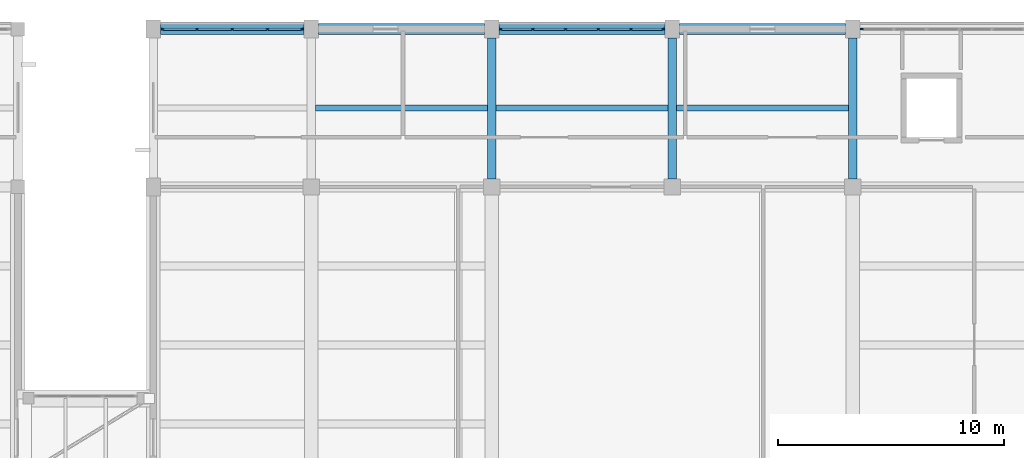
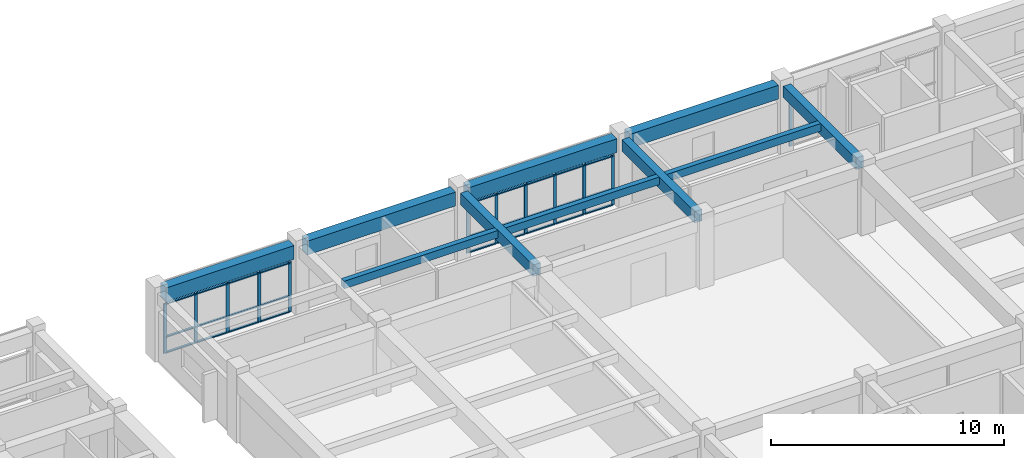
# One storey, part 30 of 66: 39 members, 10 beams, 3 elements without a shape of their own.
"""IFC4 building model written with IfcOpenShell, lengths in metres."""

from ifc_helpers import new_model, si_unit, direction, frame, origin, origin_2d, place, context, subcontext, project, spatial, rectangle, extrude, material, layer, layer_set, material_profile, profile_set, type_object, element, aggregate, save


model = new_model("IFC4")

# Units and contexts
model_context = context("Model", 3, precision=1e-05, world=origin(), true_north=direction((0.0, 1.0)))
body_context = subcontext(model_context, "Body", "Model", "MODEL_VIEW")
ifc_project = project(units=[si_unit("LENGTHUNIT", "METRE"), si_unit("AREAUNIT", "SQUARE_METRE"), si_unit("VOLUMEUNIT", "CUBIC_METRE"), si_unit("PLANEANGLEUNIT", "RADIAN"), si_unit("MASSUNIT", "GRAM", prefix="KILO")], contexts=[model_context])

# Site, building, storey
site_placement = place(None, origin())
site = spatial("IfcSite", under=ifc_project, at=site_placement, CompositionType="ELEMENT")
building_placement = place(site_placement, origin())
building = spatial("IfcBuilding", under=site, at=building_placement, Name="Naurynzar Civic Courthouse", CompositionType="ELEMENT")
storey_placement = place(building_placement, frame((0.0, 0.0, 14.39990234375)))
storey = spatial("IfcBuildingStorey", under=building, at=storey_placement, Name="L04", CompositionType="ELEMENT", Elevation=14.39990234375)

# Beams
ifc_material_1 = material(Name="Concrete C40/50", Category="concrete")
ifc_material_profile_1 = material_profile(ifc_material_1, rectangle(XDim=0.25, YDim=0.39990234375, at=origin_2d()), Name="RCB 250x400")
ifc_profile_set_1 = profile_set([ifc_material_profile_1], Name="Concrete C40/50")
beam_type_1 = type_object("IfcBeamType", Name="BM-JST-250x400", PredefinedType="JOIST", material=ifc_profile_set_1)
for number, where, z_axis, x_axis, name in (
    (1, (69.1875, 68.5, 3.380126953125), (1.0, 0.0, 0.0), (0.0, 1.0, 0.0), "V2 secondary rib 736 L04"),
    (2, (77.1875, 68.5, 3.380126953125), (1.0, 0.0, 0.0), (0.0, 1.0, 0.0), "V2 secondary rib 737 L04"),
    (3, (85.1875, 68.5, 3.380126953125), (1.0, 0.0, 0.0), (0.0, 1.0, 0.0), "V2 secondary rib 738 L04"),
):
    element("IfcBeam", number, at=place(storey_placement, frame(where, z_axis=z_axis, x_axis=x_axis)), inside=storey, type_object=beam_type_1, Name=name, PredefinedType="JOIST", context=body_context, shape_type="SweptSolid", body=[
        extrude(rectangle(XDim=0.25, YDim=0.39990234375, at=origin_2d()), origin(), (0.0, 0.0, 1.0), 7.625),
    ])
ifc_material_2 = material(Name="Concrete C40/50", Category="concrete")
ifc_material_profile_2 = material_profile(ifc_material_2, rectangle(XDim=0.375, YDim=0.60009765625, at=origin_2d()), Name="RCB 375x600")
ifc_profile_set_2 = profile_set([ifc_material_profile_2], Name="Concrete C40/50")
beam_type_2 = type_object("IfcBeamType", Name="BM-RC-375x600", PredefinedType="BEAM", material=ifc_profile_set_2)
for number, where, z_axis, x_axis, name in (
    (4, (77.0, 65.362548828125, 3.280029296875), (0.0, 1.0, 0.0), (-1.0, 0.0, 0.0), "V2 girder Y-695 L04"),
    (5, (85.0, 65.362548828125, 3.280029296875), (0.0, 1.0, 0.0), (-1.0, 0.0, 0.0), "V2 girder Y-697 L04"),
    (6, (93.0, 65.362548828125, 3.280029296875), (0.0, 1.0, 0.0), (-1.0, 0.0, 0.0), "V2 girder Y-700 L04"),
):
    element("IfcBeam", number, at=place(storey_placement, frame(where, z_axis=z_axis, x_axis=x_axis)), inside=storey, type_object=beam_type_2, Name=name, PredefinedType="BEAM", context=body_context, shape_type="SweptSolid", body=[
        extrude(rectangle(XDim=0.375, YDim=0.60009765625, at=origin_2d()), origin(), (0.0, 0.0, 1.0), 6.237548828125),
    ])
ifc_material_3 = material(Name="Concrete C40/50", Category="concrete")
ifc_material_profile_3 = material_profile(ifc_material_3, rectangle(XDim=0.47509765625, YDim=0.72509765625, at=origin_2d()), Name="RCB 475x725")
ifc_profile_set_3 = profile_set([ifc_material_profile_3], Name="Concrete C40/50")
beam_type_3 = type_object("IfcBeamType", Name="BM-RC-475x725", PredefinedType="SPANDREL", material=ifc_profile_set_3)
beam_placement = place(storey_placement, frame((62.324951171875, 72.0, 3.217529296875), z_axis=(1.0, 0.0, 0.0), x_axis=(0.0, 1.0, 0.0)))
element("IfcBeam", 7, at=beam_placement, inside=storey, type_object=beam_type_3, Name="V2 beam X-679 L04", PredefinedType="SPANDREL", context=body_context, shape_type="SweptSolid", body=[
    extrude(rectangle(XDim=0.47509765625, YDim=0.72509765625, at=origin_2d()), origin(), (0.0, 0.0, 1.0), 6.35009765625),
])
for number, where, z_axis, x_axis, name in (
    (8, (69.324951171875, 72.0, 3.217529296875), (1.0, 0.0, 0.0), (0.0, 1.0, 0.0), "V2 beam X-680 L04"),
    (9, (77.324951171875, 72.0, 3.217529296875), (1.0, 0.0, 0.0), (0.0, 1.0, 0.0), "V2 beam X-681 L04"),
    (10, (85.324951171875, 72.0, 3.217529296875), (1.0, 0.0, 0.0), (0.0, 1.0, 0.0), "V2 beam X-682 L04"),
):
    element("IfcBeam", number, at=place(storey_placement, frame(where, z_axis=z_axis, x_axis=x_axis)), inside=storey, type_object=beam_type_3, Name=name, PredefinedType="SPANDREL", context=body_context, shape_type="SweptSolid", body=[
        extrude(rectangle(XDim=0.47509765625, YDim=0.72509765625, at=origin_2d()), origin(), (0.0, 0.0, 1.0), 7.35009765625),
    ])

# Curtain wall, members
ifc_material_4 = material(Name="Aluminium 6063-T6", Category="aluminium")
ifc_layer = layer(ifc_material_4, 0.179931640625)
ifc_layer_set = layer_set([ifc_layer], Name="CW-UNIT-1500")
curtain_wall_type = type_object("IfcCurtainWallType", Name="CW-UNIT-1500", PredefinedType="NOTDEFINED", material=ifc_layer_set)
curtain_wall_1_placement = place(storey_placement, origin())
curtain_wall_1 = element("IfcCurtainWall", 11, at=curtain_wall_1_placement, inside=storey, type_object=curtain_wall_type, Name="V2 unitised curtain wall 31 L04", PredefinedType="NOTDEFINED")
ifc_material_5 = material(Name="Aluminium 6063-T6", Category="aluminium")
ifc_material_profile_4 = material_profile(ifc_material_5, rectangle(XDim=0.06005859375, YDim=0.14990234375, at=origin_2d()), Name="ALU MULLION 60x150")
ifc_profile_set_4 = profile_set([ifc_material_profile_4], Name="Aluminium 6063-T6")
member_type_1 = type_object("IfcMemberType", Name="CWM-60x150", PredefinedType="MULLION", material=ifc_profile_set_4)
member_1_placement = place(storey_placement, frame((62.405029296875, 72.0, 0.0), z_axis=(0.0, 0.0, 1.0), x_axis=(0.0, 1.0, 0.0)))
member_1 = element("IfcMember", 12, at=member_1_placement, type_object=member_type_1, Name="CW-01 mullion 1", PredefinedType="MULLION", context=body_context, shape_type="SweptSolid", body=[
    extrude(rectangle(XDim=0.06005859375, YDim=0.14990234375, at=origin_2d()), origin(), (0.0, 0.0, 1.0), 2.610107421875),
])
member_2_placement = place(storey_placement, frame((63.9375, 72.0, 0.0), z_axis=(0.0, 0.0, 1.0), x_axis=(0.0, 1.0, 0.0)))
member_2 = element("IfcMember", 13, at=member_2_placement, type_object=member_type_1, Name="CW-01 mullion 2", PredefinedType="MULLION", context=body_context, shape_type="SweptSolid", body=[
    extrude(rectangle(XDim=0.06005859375, YDim=0.14990234375, at=origin_2d()), origin(), (0.0, 0.0, 1.0), 2.610107421875),
])
member_3_placement = place(storey_placement, frame((65.5, 72.0, 0.0), z_axis=(0.0, 0.0, 1.0), x_axis=(0.0, 1.0, 0.0)))
member_3 = element("IfcMember", 14, at=member_3_placement, type_object=member_type_1, Name="CW-01 mullion 3", PredefinedType="MULLION", context=body_context, shape_type="SweptSolid", body=[
    extrude(rectangle(XDim=0.06005859375, YDim=0.14990234375, at=origin_2d()), origin(), (0.0, 0.0, 1.0), 2.610107421875),
])
member_4_placement = place(storey_placement, frame((67.0625, 72.0, 0.0), z_axis=(0.0, 0.0, 1.0), x_axis=(0.0, 1.0, 0.0)))
member_4 = element("IfcMember", 15, at=member_4_placement, type_object=member_type_1, Name="CW-01 mullion 4", PredefinedType="MULLION", context=body_context, shape_type="SweptSolid", body=[
    extrude(rectangle(XDim=0.06005859375, YDim=0.14990234375, at=origin_2d()), origin(), (0.0, 0.0, 1.0), 2.610107421875),
])
member_5_placement = place(storey_placement, frame((68.594970703125, 72.0, 0.0), z_axis=(0.0, 0.0, 1.0), x_axis=(0.0, 1.0, 0.0)))
member_5 = element("IfcMember", 16, at=member_5_placement, type_object=member_type_1, Name="CW-01 mullion 5", PredefinedType="MULLION", context=body_context, shape_type="SweptSolid", body=[
    extrude(rectangle(XDim=0.06005859375, YDim=0.14990234375, at=origin_2d()), origin(), (0.0, 0.0, 1.0), 2.610107421875),
])

curtain_wall_2_placement = place(storey_placement, origin())
curtain_wall_2 = element("IfcCurtainWall", 17, at=curtain_wall_2_placement, inside=storey, type_object=curtain_wall_type, Name="V2 unitised curtain wall 32 L04", PredefinedType="NOTDEFINED")
member_6_placement = place(storey_placement, frame((77.405029296875, 72.0, 0.0), z_axis=(0.0, 0.0, 1.0), x_axis=(0.0, 1.0, 0.0)))
member_6 = element("IfcMember", 18, at=member_6_placement, type_object=member_type_1, Name="CW-01 mullion 1", PredefinedType="MULLION", context=body_context, shape_type="SweptSolid", body=[
    extrude(rectangle(XDim=0.06005859375, YDim=0.14990234375, at=origin_2d()), origin(), (0.0, 0.0, 1.0), 2.610107421875),
])
member_7_placement = place(storey_placement, frame((78.824951171875, 72.0, 0.0), z_axis=(0.0, 0.0, 1.0), x_axis=(0.0, 1.0, 0.0)))
member_7 = element("IfcMember", 19, at=member_7_placement, type_object=member_type_1, Name="CW-01 mullion 2", PredefinedType="MULLION", context=body_context, shape_type="SweptSolid", body=[
    extrude(rectangle(XDim=0.06005859375, YDim=0.14990234375, at=origin_2d()), origin(), (0.0, 0.0, 1.0), 2.610107421875),
])
member_8_placement = place(storey_placement, frame((80.27490234375, 72.0, 0.0), z_axis=(0.0, 0.0, 1.0), x_axis=(0.0, 1.0, 0.0)))
member_8 = element("IfcMember", 20, at=member_8_placement, type_object=member_type_1, Name="CW-01 mullion 3", PredefinedType="MULLION", context=body_context, shape_type="SweptSolid", body=[
    extrude(rectangle(XDim=0.06005859375, YDim=0.14990234375, at=origin_2d()), origin(), (0.0, 0.0, 1.0), 2.610107421875),
])
member_9_placement = place(storey_placement, frame((81.72509765625, 72.0, 0.0), z_axis=(0.0, 0.0, 1.0), x_axis=(0.0, 1.0, 0.0)))
member_9 = element("IfcMember", 21, at=member_9_placement, type_object=member_type_1, Name="CW-01 mullion 4", PredefinedType="MULLION", context=body_context, shape_type="SweptSolid", body=[
    extrude(rectangle(XDim=0.06005859375, YDim=0.14990234375, at=origin_2d()), origin(), (0.0, 0.0, 1.0), 2.610107421875),
])
member_10_placement = place(storey_placement, frame((83.175048828125, 72.0, 0.0), z_axis=(0.0, 0.0, 1.0), x_axis=(0.0, 1.0, 0.0)))
member_10 = element("IfcMember", 22, at=member_10_placement, type_object=member_type_1, Name="CW-01 mullion 5", PredefinedType="MULLION", context=body_context, shape_type="SweptSolid", body=[
    extrude(rectangle(XDim=0.06005859375, YDim=0.14990234375, at=origin_2d()), origin(), (0.0, 0.0, 1.0), 2.610107421875),
])
member_11_placement = place(storey_placement, frame((84.594970703125, 72.0, 0.0), z_axis=(0.0, 0.0, 1.0), x_axis=(0.0, 1.0, 0.0)))
member_11 = element("IfcMember", 23, at=member_11_placement, type_object=member_type_1, Name="CW-01 mullion 6", PredefinedType="MULLION", context=body_context, shape_type="SweptSolid", body=[
    extrude(rectangle(XDim=0.06005859375, YDim=0.14990234375, at=origin_2d()), origin(), (0.0, 0.0, 1.0), 2.610107421875),
])

# Curtain wall, member
curtain_wall_3_placement = place(storey_placement, origin())
curtain_wall_3 = element("IfcCurtainWall", 24, at=curtain_wall_3_placement, inside=storey, type_object=curtain_wall_type, Name="V2 unitised curtain wall 33 L04", PredefinedType="NOTDEFINED")
member_12_placement = place(storey_placement, frame((93.405029296875, 72.0, 0.0), z_axis=(0.0, 0.0, 1.0), x_axis=(0.0, 1.0, 0.0)))
member_12 = element("IfcMember", 25, at=member_12_placement, type_object=member_type_1, Name="CW-01 mullion 1", PredefinedType="MULLION", context=body_context, shape_type="SweptSolid", body=[
    extrude(rectangle(XDim=0.06005859375, YDim=0.14990234375, at=origin_2d()), origin(), (0.0, 0.0, 1.0), 2.610107421875),
])
aggregate(curtain_wall_3, [member_12])

# Member
ifc_material_6 = material(Name="Aluminium 6063-T6", Category="aluminium")
ifc_material_profile_5 = material_profile(ifc_material_6, rectangle(XDim=0.110107421875, YDim=0.06005859375, at=origin_2d()), Name="ALU TRANSOM 60x110")
ifc_profile_set_5 = profile_set([ifc_material_profile_5], Name="Aluminium 6063-T6")
member_type_2 = type_object("IfcMemberType", Name="CWT-60x110", PredefinedType="USERDEFINED", material=ifc_profile_set_5)
member_13_placement = place(storey_placement, frame((62.43505859375, 72.0, 0.030029296875), z_axis=(1.0, 0.0, 0.0), x_axis=(0.0, 1.0, 0.0)))
member_13 = element("IfcMember", 26, at=member_13_placement, type_object=member_type_2, Name="CW-01 transom 1.1", ObjectType="TRANSOM", PredefinedType="USERDEFINED", context=body_context, shape_type="SweptSolid", body=[
    extrude(rectangle(XDim=0.110107421875, YDim=0.06005859375, at=origin_2d()), origin(), (0.0, 0.0, 1.0), 1.472412109375),
])

member_14_placement = place(storey_placement, frame((62.43505859375, 72.0, 0.85009765625), z_axis=(1.0, 0.0, 0.0), x_axis=(0.0, 1.0, 0.0)))
member_14 = element("IfcMember", 27, at=member_14_placement, type_object=member_type_2, Name="CW-01 transom 1.2", ObjectType="TRANSOM", PredefinedType="USERDEFINED", context=body_context, shape_type="SweptSolid", body=[
    extrude(rectangle(XDim=0.110107421875, YDim=0.06005859375, at=origin_2d()), origin(), (0.0, 0.0, 1.0), 1.472412109375),
])

member_15_placement = place(storey_placement, frame((62.43505859375, 72.0, 2.580078125), z_axis=(1.0, 0.0, 0.0), x_axis=(0.0, 1.0, 0.0)))
member_15 = element("IfcMember", 28, at=member_15_placement, type_object=member_type_2, Name="CW-01 transom 1.3", ObjectType="TRANSOM", PredefinedType="USERDEFINED", context=body_context, shape_type="SweptSolid", body=[
    extrude(rectangle(XDim=0.110107421875, YDim=0.06005859375, at=origin_2d()), origin(), (0.0, 0.0, 1.0), 1.472412109375),
])

member_16_placement = place(storey_placement, frame((63.967529296875, 72.0, 0.030029296875), z_axis=(1.0, 0.0, 0.0), x_axis=(0.0, 1.0, 0.0)))
member_16 = element("IfcMember", 29, at=member_16_placement, type_object=member_type_2, Name="CW-01 transom 2.1", ObjectType="TRANSOM", PredefinedType="USERDEFINED", context=body_context, shape_type="SweptSolid", body=[
    extrude(rectangle(XDim=0.110107421875, YDim=0.06005859375, at=origin_2d()), origin(), (0.0, 0.0, 1.0), 1.50244140625),
])

member_17_placement = place(storey_placement, frame((63.967529296875, 72.0, 0.85009765625), z_axis=(1.0, 0.0, 0.0), x_axis=(0.0, 1.0, 0.0)))
member_17 = element("IfcMember", 30, at=member_17_placement, type_object=member_type_2, Name="CW-01 transom 2.2", ObjectType="TRANSOM", PredefinedType="USERDEFINED", context=body_context, shape_type="SweptSolid", body=[
    extrude(rectangle(XDim=0.110107421875, YDim=0.06005859375, at=origin_2d()), origin(), (0.0, 0.0, 1.0), 1.50244140625),
])

member_18_placement = place(storey_placement, frame((63.967529296875, 72.0, 2.580078125), z_axis=(1.0, 0.0, 0.0), x_axis=(0.0, 1.0, 0.0)))
member_18 = element("IfcMember", 31, at=member_18_placement, type_object=member_type_2, Name="CW-01 transom 2.3", ObjectType="TRANSOM", PredefinedType="USERDEFINED", context=body_context, shape_type="SweptSolid", body=[
    extrude(rectangle(XDim=0.110107421875, YDim=0.06005859375, at=origin_2d()), origin(), (0.0, 0.0, 1.0), 1.50244140625),
])

member_19_placement = place(storey_placement, frame((65.530029296875, 72.0, 0.030029296875), z_axis=(1.0, 0.0, 0.0), x_axis=(0.0, 1.0, 0.0)))
member_19 = element("IfcMember", 32, at=member_19_placement, type_object=member_type_2, Name="CW-01 transom 3.1", ObjectType="TRANSOM", PredefinedType="USERDEFINED", context=body_context, shape_type="SweptSolid", body=[
    extrude(rectangle(XDim=0.110107421875, YDim=0.06005859375, at=origin_2d()), origin(), (0.0, 0.0, 1.0), 1.50244140625),
])

member_20_placement = place(storey_placement, frame((65.530029296875, 72.0, 0.85009765625), z_axis=(1.0, 0.0, 0.0), x_axis=(0.0, 1.0, 0.0)))
member_20 = element("IfcMember", 33, at=member_20_placement, type_object=member_type_2, Name="CW-01 transom 3.2", ObjectType="TRANSOM", PredefinedType="USERDEFINED", context=body_context, shape_type="SweptSolid", body=[
    extrude(rectangle(XDim=0.110107421875, YDim=0.06005859375, at=origin_2d()), origin(), (0.0, 0.0, 1.0), 1.50244140625),
])

member_21_placement = place(storey_placement, frame((65.530029296875, 72.0, 2.580078125), z_axis=(1.0, 0.0, 0.0), x_axis=(0.0, 1.0, 0.0)))
member_21 = element("IfcMember", 34, at=member_21_placement, type_object=member_type_2, Name="CW-01 transom 3.3", ObjectType="TRANSOM", PredefinedType="USERDEFINED", context=body_context, shape_type="SweptSolid", body=[
    extrude(rectangle(XDim=0.110107421875, YDim=0.06005859375, at=origin_2d()), origin(), (0.0, 0.0, 1.0), 1.50244140625),
])

member_22_placement = place(storey_placement, frame((67.092529296875, 72.0, 0.030029296875), z_axis=(1.0, 0.0, 0.0), x_axis=(0.0, 1.0, 0.0)))
member_22 = element("IfcMember", 35, at=member_22_placement, type_object=member_type_2, Name="CW-01 transom 4.1", ObjectType="TRANSOM", PredefinedType="USERDEFINED", context=body_context, shape_type="SweptSolid", body=[
    extrude(rectangle(XDim=0.110107421875, YDim=0.06005859375, at=origin_2d()), origin(), (0.0, 0.0, 1.0), 1.472412109375),
])

member_23_placement = place(storey_placement, frame((67.092529296875, 72.0, 0.85009765625), z_axis=(1.0, 0.0, 0.0), x_axis=(0.0, 1.0, 0.0)))
member_23 = element("IfcMember", 36, at=member_23_placement, type_object=member_type_2, Name="CW-01 transom 4.2", ObjectType="TRANSOM", PredefinedType="USERDEFINED", context=body_context, shape_type="SweptSolid", body=[
    extrude(rectangle(XDim=0.110107421875, YDim=0.06005859375, at=origin_2d()), origin(), (0.0, 0.0, 1.0), 1.472412109375),
])

member_24_placement = place(storey_placement, frame((67.092529296875, 72.0, 2.580078125), z_axis=(1.0, 0.0, 0.0), x_axis=(0.0, 1.0, 0.0)))
member_24 = element("IfcMember", 37, at=member_24_placement, type_object=member_type_2, Name="CW-01 transom 4.3", ObjectType="TRANSOM", PredefinedType="USERDEFINED", context=body_context, shape_type="SweptSolid", body=[
    extrude(rectangle(XDim=0.110107421875, YDim=0.06005859375, at=origin_2d()), origin(), (0.0, 0.0, 1.0), 1.472412109375),
])

aggregate(curtain_wall_1, [member_1, member_2, member_3, member_4, member_5, member_13, member_14, member_15, member_16, member_17, member_18, member_19, member_20, member_21, member_22, member_23, member_24])

member_25_placement = place(storey_placement, frame((77.43505859375, 72.0, 0.030029296875), z_axis=(1.0, 0.0, 0.0), x_axis=(0.0, 1.0, 0.0)))
member_25 = element("IfcMember", 38, at=member_25_placement, type_object=member_type_2, Name="CW-01 transom 1.1", ObjectType="TRANSOM", PredefinedType="USERDEFINED", context=body_context, shape_type="SweptSolid", body=[
    extrude(rectangle(XDim=0.110107421875, YDim=0.06005859375, at=origin_2d()), origin(), (0.0, 0.0, 1.0), 1.35986328125),
])

member_26_placement = place(storey_placement, frame((77.43505859375, 72.0, 0.85009765625), z_axis=(1.0, 0.0, 0.0), x_axis=(0.0, 1.0, 0.0)))
member_26 = element("IfcMember", 39, at=member_26_placement, type_object=member_type_2, Name="CW-01 transom 1.2", ObjectType="TRANSOM", PredefinedType="USERDEFINED", context=body_context, shape_type="SweptSolid", body=[
    extrude(rectangle(XDim=0.110107421875, YDim=0.06005859375, at=origin_2d()), origin(), (0.0, 0.0, 1.0), 1.35986328125),
])

member_27_placement = place(storey_placement, frame((77.43505859375, 72.0, 2.580078125), z_axis=(1.0, 0.0, 0.0), x_axis=(0.0, 1.0, 0.0)))
member_27 = element("IfcMember", 40, at=member_27_placement, type_object=member_type_2, Name="CW-01 transom 1.3", ObjectType="TRANSOM", PredefinedType="USERDEFINED", context=body_context, shape_type="SweptSolid", body=[
    extrude(rectangle(XDim=0.110107421875, YDim=0.06005859375, at=origin_2d()), origin(), (0.0, 0.0, 1.0), 1.35986328125),
])

member_28_placement = place(storey_placement, frame((78.85498046875, 72.0, 0.030029296875), z_axis=(1.0, 0.0, 0.0), x_axis=(0.0, 1.0, 0.0)))
member_28 = element("IfcMember", 41, at=member_28_placement, type_object=member_type_2, Name="CW-01 transom 2.1", ObjectType="TRANSOM", PredefinedType="USERDEFINED", context=body_context, shape_type="SweptSolid", body=[
    extrude(rectangle(XDim=0.110107421875, YDim=0.06005859375, at=origin_2d()), origin(), (0.0, 0.0, 1.0), 1.39013671875),
])

member_29_placement = place(storey_placement, frame((78.85498046875, 72.0, 0.85009765625), z_axis=(1.0, 0.0, 0.0), x_axis=(0.0, 1.0, 0.0)))
member_29 = element("IfcMember", 42, at=member_29_placement, type_object=member_type_2, Name="CW-01 transom 2.2", ObjectType="TRANSOM", PredefinedType="USERDEFINED", context=body_context, shape_type="SweptSolid", body=[
    extrude(rectangle(XDim=0.110107421875, YDim=0.06005859375, at=origin_2d()), origin(), (0.0, 0.0, 1.0), 1.39013671875),
])

member_30_placement = place(storey_placement, frame((78.85498046875, 72.0, 2.580078125), z_axis=(1.0, 0.0, 0.0), x_axis=(0.0, 1.0, 0.0)))
member_30 = element("IfcMember", 43, at=member_30_placement, type_object=member_type_2, Name="CW-01 transom 2.3", ObjectType="TRANSOM", PredefinedType="USERDEFINED", context=body_context, shape_type="SweptSolid", body=[
    extrude(rectangle(XDim=0.110107421875, YDim=0.06005859375, at=origin_2d()), origin(), (0.0, 0.0, 1.0), 1.39013671875),
])

member_31_placement = place(storey_placement, frame((80.304931640625, 72.0, 0.030029296875), z_axis=(1.0, 0.0, 0.0), x_axis=(0.0, 1.0, 0.0)))
member_31 = element("IfcMember", 44, at=member_31_placement, type_object=member_type_2, Name="CW-01 transom 3.1", ObjectType="TRANSOM", PredefinedType="USERDEFINED", context=body_context, shape_type="SweptSolid", body=[
    extrude(rectangle(XDim=0.110107421875, YDim=0.06005859375, at=origin_2d()), origin(), (0.0, 0.0, 1.0), 1.39013671875),
])

member_32_placement = place(storey_placement, frame((80.304931640625, 72.0, 0.85009765625), z_axis=(1.0, 0.0, 0.0), x_axis=(0.0, 1.0, 0.0)))
member_32 = element("IfcMember", 45, at=member_32_placement, type_object=member_type_2, Name="CW-01 transom 3.2", ObjectType="TRANSOM", PredefinedType="USERDEFINED", context=body_context, shape_type="SweptSolid", body=[
    extrude(rectangle(XDim=0.110107421875, YDim=0.06005859375, at=origin_2d()), origin(), (0.0, 0.0, 1.0), 1.39013671875),
])

member_33_placement = place(storey_placement, frame((80.304931640625, 72.0, 2.580078125), z_axis=(1.0, 0.0, 0.0), x_axis=(0.0, 1.0, 0.0)))
member_33 = element("IfcMember", 46, at=member_33_placement, type_object=member_type_2, Name="CW-01 transom 3.3", ObjectType="TRANSOM", PredefinedType="USERDEFINED", context=body_context, shape_type="SweptSolid", body=[
    extrude(rectangle(XDim=0.110107421875, YDim=0.06005859375, at=origin_2d()), origin(), (0.0, 0.0, 1.0), 1.39013671875),
])

member_34_placement = place(storey_placement, frame((81.7548828125, 72.0, 0.030029296875), z_axis=(1.0, 0.0, 0.0), x_axis=(0.0, 1.0, 0.0)))
member_34 = element("IfcMember", 47, at=member_34_placement, type_object=member_type_2, Name="CW-01 transom 4.1", ObjectType="TRANSOM", PredefinedType="USERDEFINED", context=body_context, shape_type="SweptSolid", body=[
    extrude(rectangle(XDim=0.110107421875, YDim=0.06005859375, at=origin_2d()), origin(), (0.0, 0.0, 1.0), 1.39013671875),
])

member_35_placement = place(storey_placement, frame((81.7548828125, 72.0, 0.85009765625), z_axis=(1.0, 0.0, 0.0), x_axis=(0.0, 1.0, 0.0)))
member_35 = element("IfcMember", 48, at=member_35_placement, type_object=member_type_2, Name="CW-01 transom 4.2", ObjectType="TRANSOM", PredefinedType="USERDEFINED", context=body_context, shape_type="SweptSolid", body=[
    extrude(rectangle(XDim=0.110107421875, YDim=0.06005859375, at=origin_2d()), origin(), (0.0, 0.0, 1.0), 1.39013671875),
])

member_36_placement = place(storey_placement, frame((81.7548828125, 72.0, 2.580078125), z_axis=(1.0, 0.0, 0.0), x_axis=(0.0, 1.0, 0.0)))
member_36 = element("IfcMember", 49, at=member_36_placement, type_object=member_type_2, Name="CW-01 transom 4.3", ObjectType="TRANSOM", PredefinedType="USERDEFINED", context=body_context, shape_type="SweptSolid", body=[
    extrude(rectangle(XDim=0.110107421875, YDim=0.06005859375, at=origin_2d()), origin(), (0.0, 0.0, 1.0), 1.39013671875),
])

member_37_placement = place(storey_placement, frame((83.205078125, 72.0, 0.030029296875), z_axis=(1.0, 0.0, 0.0), x_axis=(0.0, 1.0, 0.0)))
member_37 = element("IfcMember", 50, at=member_37_placement, type_object=member_type_2, Name="CW-01 transom 5.1", ObjectType="TRANSOM", PredefinedType="USERDEFINED", context=body_context, shape_type="SweptSolid", body=[
    extrude(rectangle(XDim=0.110107421875, YDim=0.06005859375, at=origin_2d()), origin(), (0.0, 0.0, 1.0), 1.35986328125),
])

member_38_placement = place(storey_placement, frame((83.205078125, 72.0, 0.85009765625), z_axis=(1.0, 0.0, 0.0), x_axis=(0.0, 1.0, 0.0)))
member_38 = element("IfcMember", 51, at=member_38_placement, type_object=member_type_2, Name="CW-01 transom 5.2", ObjectType="TRANSOM", PredefinedType="USERDEFINED", context=body_context, shape_type="SweptSolid", body=[
    extrude(rectangle(XDim=0.110107421875, YDim=0.06005859375, at=origin_2d()), origin(), (0.0, 0.0, 1.0), 1.35986328125),
])

member_39_placement = place(storey_placement, frame((83.205078125, 72.0, 2.580078125), z_axis=(1.0, 0.0, 0.0), x_axis=(0.0, 1.0, 0.0)))
member_39 = element("IfcMember", 52, at=member_39_placement, type_object=member_type_2, Name="CW-01 transom 5.3", ObjectType="TRANSOM", PredefinedType="USERDEFINED", context=body_context, shape_type="SweptSolid", body=[
    extrude(rectangle(XDim=0.110107421875, YDim=0.06005859375, at=origin_2d()), origin(), (0.0, 0.0, 1.0), 1.35986328125),
])

aggregate(curtain_wall_2, [member_6, member_7, member_8, member_9, member_10, member_11, member_25, member_26, member_27, member_28, member_29, member_30, member_31, member_32, member_33, member_34, member_35, member_36, member_37, member_38, member_39])

save(model, "model.ifc")
